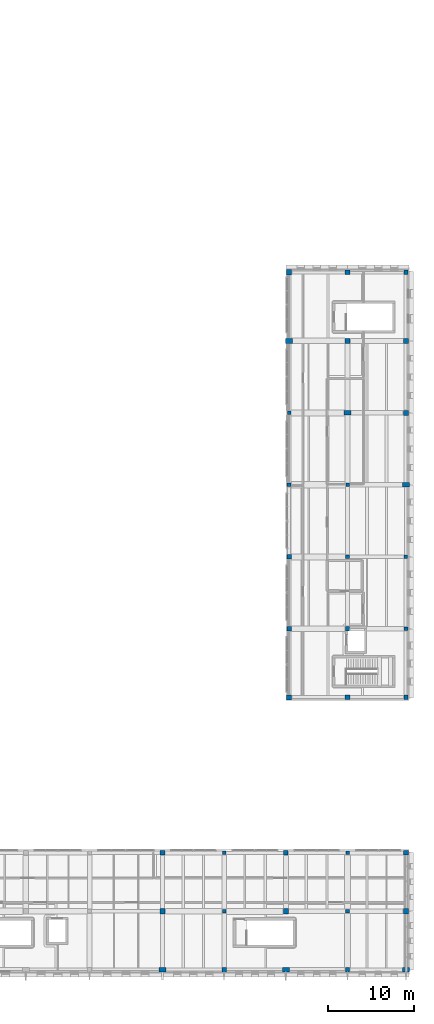
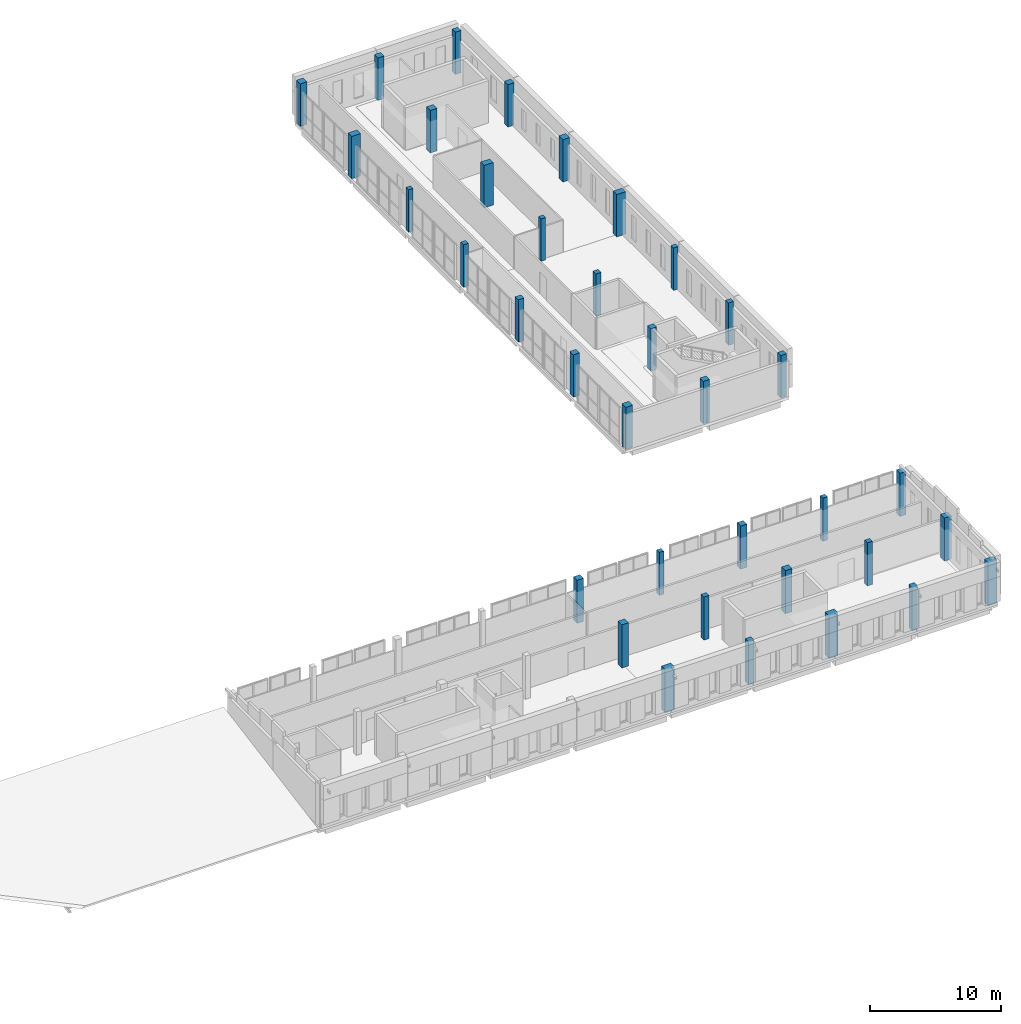
# One storey, part 7 of 56: 36 columns.
"""IFC4 building model written with IfcOpenShell, lengths in metres."""

from ifc_helpers import new_model, si_unit, direction, frame, origin, origin_2d, place, context, subcontext, project, spatial, rectangle, extrude, material, material_profile, profile_set, type_object, element, save


model = new_model("IFC4")

# Units and contexts
model_context = context("Model", 3, precision=1e-05, world=origin(), true_north=direction((0.0, 1.0)))
body_context = subcontext(model_context, "Body", "Model", "MODEL_VIEW")
ifc_project = project(units=[si_unit("LENGTHUNIT", "METRE"), si_unit("AREAUNIT", "SQUARE_METRE"), si_unit("VOLUMEUNIT", "CUBIC_METRE"), si_unit("PLANEANGLEUNIT", "RADIAN"), si_unit("MASSUNIT", "GRAM", prefix="KILO")], contexts=[model_context])

# Site, building, storey
site_placement = place(None, origin())
site = spatial("IfcSite", under=ifc_project, at=site_placement, CompositionType="ELEMENT")
building_placement = place(site_placement, origin())
building = spatial("IfcBuilding", under=site, at=building_placement, Name="Vardoun Plaza Health Centre", CompositionType="ELEMENT")
storey_placement = place(building_placement, frame((0.0, 0.0, 8.699951171875)))
storey = spatial("IfcBuildingStorey", under=building, at=storey_placement, Name="L02", CompositionType="ELEMENT", Elevation=8.699951171875)

# Columns
ifc_material_1 = material(Name="Concrete C40/50", Category="concrete")
ifc_material_profile_1 = material_profile(ifc_material_1, rectangle(XDim=0.39990234375, YDim=0.39990234375, at=origin_2d()), Name="RC-COL 400x400")
ifc_profile_set_1 = profile_set([ifc_material_profile_1], Name="Concrete C40/50")
column_type_1 = type_object("IfcColumnType", Name="C-08", PredefinedType="COLUMN", material=ifc_profile_set_1)
for number, where, z_axis, x_axis, name in (
    (1, (143.699951171875, 18.52001953125, 0.0), (0.0, 0.0, 1.0), (1.0, 0.0, 0.0), "V5 L02 Column C-V5-18"),
    (2, (158.10009765625, 18.52001953125, 0.0), (0.0, 0.0, 1.0), (1.0, 0.0, 0.0), "V5 L02 Column C-V5-24"),
):
    element("IfcColumn", number, at=place(storey_placement, frame(where, z_axis=z_axis, x_axis=x_axis)), inside=storey, type_object=column_type_1, Name=name, PredefinedType="COLUMN", context=body_context, shape_type="SweptSolid", body=[
        extrude(rectangle(XDim=0.39990234375, YDim=0.39990234375, at=origin_2d()), origin(), (0.0, 0.0, 1.0), 4.02001953125),
    ])
for number, where, z_axis, x_axis, name in (
    (3, (151.280029296875, 69.900146484375, 0.0), (0.0, 0.0, 1.0), (1.0, 0.0, 0.0), "V6 L02 Column C-V6-05"),
    (4, (158.10009765625, 61.5, 0.0), (0.0, 0.0, 1.0), (1.0, 0.0, 0.0), "V6 L02 Column C-V6-11"),
    (5, (164.919921875, 53.10009765625, 0.0), (0.0, 0.0, 1.0), (1.0, 0.0, 0.0), "V6 L02 Column C-V6-17"),
):
    element("IfcColumn", number, at=place(storey_placement, frame(where, z_axis=z_axis, x_axis=x_axis)), inside=storey, type_object=column_type_1, Name=name, PredefinedType="COLUMN", context=body_context, shape_type="SweptSolid", body=[
        extrude(rectangle(XDim=0.39990234375, YDim=0.39990234375, at=origin_2d()), origin(), (0.0, 0.0, 1.0), 3.949951171875),
    ])
ifc_material_2 = material(Name="Concrete C40/50", Category="concrete")
ifc_material_profile_2 = material_profile(ifc_material_2, rectangle(XDim=0.449951171875, YDim=0.449951171875, at=origin_2d()), Name="RC-COL 450x450")
ifc_profile_set_2 = profile_set([ifc_material_profile_2], Name="Concrete C40/50")
column_type_2 = type_object("IfcColumnType", Name="C-07", PredefinedType="COLUMN", material=ifc_profile_set_2)
for number, where, z_axis, x_axis, name in (
    (6, (143.699951171875, 11.699951171875, 0.0), (0.0, 0.0, 1.0), (1.0, 0.0, 0.0), "V5 L02 Column C-V5-17"),
    (7, (158.10009765625, 11.699951171875, 0.0), (0.0, 0.0, 1.0), (1.0, 0.0, 0.0), "V5 L02 Column C-V5-23"),
):
    element("IfcColumn", number, at=place(storey_placement, frame(where, z_axis=z_axis, x_axis=x_axis)), inside=storey, type_object=column_type_2, Name=name, PredefinedType="COLUMN", context=body_context, shape_type="SweptSolid", body=[
        extrude(rectangle(XDim=0.449951171875, YDim=0.449951171875, at=origin_2d()), origin(), (0.0, 0.0, 1.0), 4.02001953125),
    ])
for number, where, z_axis, x_axis, name in (
    (8, (151.280029296875, 61.5, 0.0), (0.0, 0.0, 1.0), (1.0, 0.0, 0.0), "V6 L02 Column C-V6-04"),
    (9, (158.10009765625, 53.10009765625, 0.0), (0.0, 0.0, 1.0), (1.0, 0.0, 0.0), "V6 L02 Column C-V6-10"),
    (10, (164.919921875, 44.699951171875, 0.0), (0.0, 0.0, 1.0), (1.0, 0.0, 0.0), "V6 L02 Column C-V6-16"),
):
    element("IfcColumn", number, at=place(storey_placement, frame(where, z_axis=z_axis, x_axis=x_axis)), inside=storey, type_object=column_type_2, Name=name, PredefinedType="COLUMN", context=body_context, shape_type="SweptSolid", body=[
        extrude(rectangle(XDim=0.449951171875, YDim=0.449951171875, at=origin_2d()), origin(), (0.0, 0.0, 1.0), 3.949951171875),
    ])
ifc_material_3 = material(Name="Concrete C40/50", Category="concrete")
ifc_material_profile_3 = material_profile(ifc_material_3, rectangle(XDim=0.5, YDim=0.5, at=origin_2d()), Name="RC-COL 500x500")
ifc_profile_set_3 = profile_set([ifc_material_profile_3], Name="Concrete C40/50")
column_type_3 = type_object("IfcColumnType", Name="C-06", PredefinedType="COLUMN", material=ifc_profile_set_3)
for number, where, z_axis, x_axis, name in (
    (11, (143.699951171875, 4.8798828125, 0.0), (0.0, 0.0, 1.0), (1.0, 0.0, 0.0), "V5 L02 Column C-V5-16"),
    (12, (158.10009765625, 4.8798828125, 0.0), (0.0, 0.0, 1.0), (1.0, 0.0, 0.0), "V5 L02 Column C-V5-22"),
):
    element("IfcColumn", number, at=place(storey_placement, frame(where, z_axis=z_axis, x_axis=x_axis)), inside=storey, type_object=column_type_3, Name=name, PredefinedType="COLUMN", context=body_context, shape_type="SweptSolid", body=[
        extrude(rectangle(XDim=0.5, YDim=0.5, at=origin_2d()), origin(), (0.0, 0.0, 1.0), 4.02001953125),
    ])
for number, where, z_axis, x_axis, name in (
    (13, (151.280029296875, 53.10009765625, 0.0), (0.0, 0.0, 1.0), (1.0, 0.0, 0.0), "V6 L02 Column C-V6-03"),
    (14, (158.10009765625, 44.699951171875, 0.0), (0.0, 0.0, 1.0), (1.0, 0.0, 0.0), "V6 L02 Column C-V6-09"),
    (15, (164.919921875, 36.679931640625, 0.0), (0.0, 0.0, 1.0), (1.0, 0.0, 0.0), "V6 L02 Column C-V6-15"),
    (16, (164.919921875, 86.320068359375, 0.0), (0.0, 0.0, 1.0), (1.0, 0.0, 0.0), "V6 L02 Column C-V6-21"),
):
    element("IfcColumn", number, at=place(storey_placement, frame(where, z_axis=z_axis, x_axis=x_axis)), inside=storey, type_object=column_type_3, Name=name, PredefinedType="COLUMN", context=body_context, shape_type="SweptSolid", body=[
        extrude(rectangle(XDim=0.5, YDim=0.5, at=origin_2d()), origin(), (0.0, 0.0, 1.0), 3.949951171875),
    ])
ifc_material_4 = material(Name="Concrete C40/50", Category="concrete")
ifc_material_profile_4 = material_profile(ifc_material_4, rectangle(XDim=0.550048828125, YDim=0.550048828125, at=origin_2d()), Name="RC-COL 550x550")
ifc_profile_set_4 = profile_set([ifc_material_profile_4], Name="Concrete C40/50")
column_type_4 = type_object("IfcColumnType", Name="C-05", PredefinedType="COLUMN", material=ifc_profile_set_4)
for number, where, z_axis, x_axis, name in (
    (17, (136.5, 18.52001953125, 0.0), (0.0, 0.0, 1.0), (1.0, 0.0, 0.0), "V5 L02 Column C-V5-15"),
    (18, (150.89990234375, 18.52001953125, 0.0), (0.0, 0.0, 1.0), (1.0, 0.0, 0.0), "V5 L02 Column C-V5-21"),
    (19, (164.919921875, 18.52001953125, 0.0), (0.0, 0.0, 1.0), (1.0, 0.0, 0.0), "V5 L02 Column C-V5-27"),
):
    element("IfcColumn", number, at=place(storey_placement, frame(where, z_axis=z_axis, x_axis=x_axis)), inside=storey, type_object=column_type_4, Name=name, PredefinedType="COLUMN", context=body_context, shape_type="SweptSolid", body=[
        extrude(rectangle(XDim=0.550048828125, YDim=0.550048828125, at=origin_2d()), origin(), (0.0, 0.0, 1.0), 4.02001953125),
    ])
for number, where, z_axis, x_axis, name in (
    (20, (151.280029296875, 44.699951171875, 0.0), (0.0, 0.0, 1.0), (1.0, 0.0, 0.0), "V6 L02 Column C-V6-02"),
    (21, (158.10009765625, 36.679931640625, 0.0), (0.0, 0.0, 1.0), (1.0, 0.0, 0.0), "V6 L02 Column C-V6-08"),
    (22, (158.10009765625, 86.320068359375, 0.0), (0.0, 0.0, 1.0), (1.0, 0.0, 0.0), "V6 L02 Column C-V6-14"),
    (23, (164.919921875, 78.300048828125, 0.0), (0.0, 0.0, 1.0), (1.0, 0.0, 0.0), "V6 L02 Column C-V6-20"),
):
    element("IfcColumn", number, at=place(storey_placement, frame(where, z_axis=z_axis, x_axis=x_axis)), inside=storey, type_object=column_type_4, Name=name, PredefinedType="COLUMN", context=body_context, shape_type="SweptSolid", body=[
        extrude(rectangle(XDim=0.550048828125, YDim=0.550048828125, at=origin_2d()), origin(), (0.0, 0.0, 1.0), 3.949951171875),
    ])
ifc_material_5 = material(Name="Concrete C40/50", Category="concrete")
ifc_material_profile_5 = material_profile(ifc_material_5, rectangle(XDim=0.60009765625, YDim=0.60009765625, at=origin_2d()), Name="RC-COL 600x600")
ifc_profile_set_5 = profile_set([ifc_material_profile_5], Name="Concrete C40/50")
column_type_5 = type_object("IfcColumnType", Name="C-04", PredefinedType="COLUMN", material=ifc_profile_set_5)
for number, where, z_axis, x_axis, name in (
    (24, (136.5, 11.699951171875, 0.0), (0.0, 0.0, 1.0), (1.0, 0.0, 0.0), "V5 L02 Column C-V5-14"),
    (25, (150.89990234375, 11.699951171875, 0.0), (0.0, 0.0, 1.0), (1.0, 0.0, 0.0), "V5 L02 Column C-V5-20"),
    (26, (164.919921875, 11.699951171875, 0.0), (0.0, 0.0, 1.0), (1.0, 0.0, 0.0), "V5 L02 Column C-V5-26"),
):
    element("IfcColumn", number, at=place(storey_placement, frame(where, z_axis=z_axis, x_axis=x_axis)), inside=storey, type_object=column_type_5, Name=name, PredefinedType="COLUMN", context=body_context, shape_type="SweptSolid", body=[
        extrude(rectangle(XDim=0.60009765625, YDim=0.60009765625, at=origin_2d()), origin(), (0.0, 0.0, 1.0), 4.02001953125),
    ])
for number, where, z_axis, x_axis, name in (
    (27, (151.280029296875, 36.679931640625, 0.0), (0.0, 0.0, 1.0), (1.0, 0.0, 0.0), "V6 L02 Column C-V6-01"),
    (28, (151.280029296875, 86.320068359375, 0.0), (0.0, 0.0, 1.0), (1.0, 0.0, 0.0), "V6 L02 Column C-V6-07"),
    (29, (158.10009765625, 78.300048828125, 0.0), (0.0, 0.0, 1.0), (1.0, 0.0, 0.0), "V6 L02 Column C-V6-13"),
    (30, (164.919921875, 69.900146484375, 0.0), (0.0, 0.0, 1.0), (1.0, 0.0, 0.0), "V6 L02 Column C-V6-19"),
):
    element("IfcColumn", number, at=place(storey_placement, frame(where, z_axis=z_axis, x_axis=x_axis)), inside=storey, type_object=column_type_5, Name=name, PredefinedType="COLUMN", context=body_context, shape_type="SweptSolid", body=[
        extrude(rectangle(XDim=0.60009765625, YDim=0.60009765625, at=origin_2d()), origin(), (0.0, 0.0, 1.0), 3.949951171875),
    ])
ifc_material_6 = material(Name="Concrete C40/50", Category="concrete")
ifc_material_profile_6 = material_profile(ifc_material_6, rectangle(XDim=0.800048828125, YDim=0.550048828125, at=origin_2d()), Name="RC-COL 800x550")
ifc_profile_set_6 = profile_set([ifc_material_profile_6], Name="Concrete C40/50")
column_type_6 = type_object("IfcColumnType", Name="C-09", PredefinedType="COLUMN", material=ifc_profile_set_6)
for number, where, z_axis, x_axis, name in (
    (31, (136.5, 4.8798828125, 0.0), (0.0, 0.0, 1.0), (1.0, 0.0, 0.0), "V5 L02 Column C-V5-13"),
    (32, (150.89990234375, 4.8798828125, 0.0), (0.0, 0.0, 1.0), (1.0, 0.0, 0.0), "V5 L02 Column C-V5-19"),
    (33, (164.919921875, 4.8798828125, 0.0), (0.0, 0.0, 1.0), (1.0, 0.0, 0.0), "V5 L02 Column C-V5-25"),
):
    element("IfcColumn", number, at=place(storey_placement, frame(where, z_axis=z_axis, x_axis=x_axis)), inside=storey, type_object=column_type_6, Name=name, PredefinedType="COLUMN", context=body_context, shape_type="SweptSolid", body=[
        extrude(rectangle(XDim=0.800048828125, YDim=0.550048828125, at=origin_2d()), origin(), (0.0, 0.0, 1.0), 4.02001953125),
    ])
for number, where, z_axis, x_axis, name in (
    (34, (151.280029296875, 78.300048828125, 0.0), (0.0, 0.0, 1.0), (1.0, 0.0, 0.0), "V6 L02 Column C-V6-06"),
    (35, (158.10009765625, 69.900146484375, 0.0), (0.0, 0.0, 1.0), (1.0, 0.0, 0.0), "V6 L02 Column C-V6-12"),
    (36, (164.919921875, 61.5, 0.0), (0.0, 0.0, 1.0), (1.0, 0.0, 0.0), "V6 L02 Column C-V6-18"),
):
    element("IfcColumn", number, at=place(storey_placement, frame(where, z_axis=z_axis, x_axis=x_axis)), inside=storey, type_object=column_type_6, Name=name, PredefinedType="COLUMN", context=body_context, shape_type="SweptSolid", body=[
        extrude(rectangle(XDim=0.800048828125, YDim=0.550048828125, at=origin_2d()), origin(), (0.0, 0.0, 1.0), 3.949951171875),
    ])

save(model, "model.ifc")
